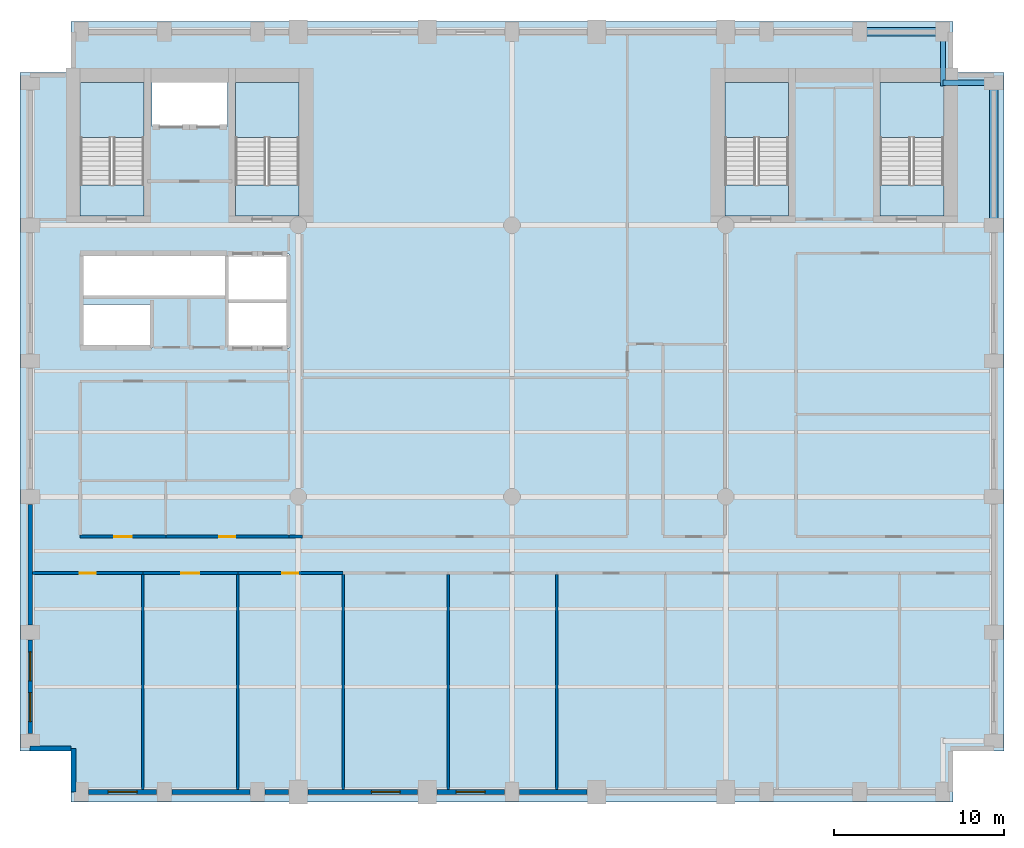
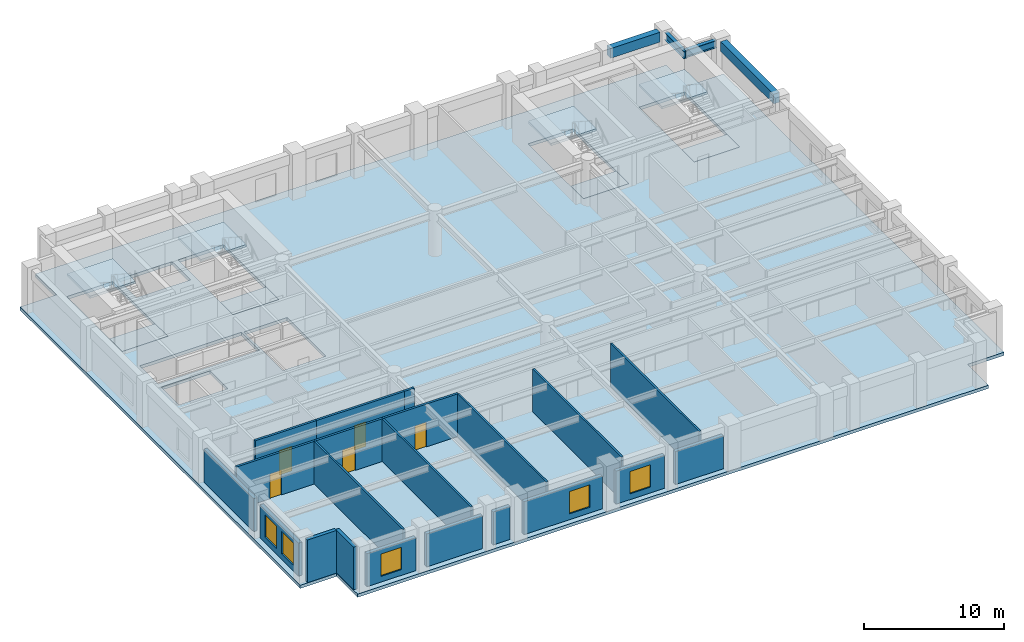
# One storey, part 2 of 8: 21 walls, 9 slabs, 5 doors, 5 windows, 4 beams, 10 openings, 4 elements without a shape of their own.
"""IFC4 building model written with IfcOpenShell, lengths in metres."""

import ifcopenshell
import ifcopenshell.guid

model = None  # the IFC model being written
_history = None  # IfcOwnerHistory: only IFC2X3 demands one
_inside = {}  # id of a spatial element -> (the spatial element, [elements in it])
_under = {}  # id of a project, library or spatial element -> (it, [spatial elements below it])
_declared = {}  # id of a project -> (the project, [libraries it declares])
_typed = {}  # id of a type object -> (the type object, [elements of that type])
_made_of = {}  # id of a material, layer set ... -> (it, [elements and type objects made of it])


def new_model(schema):
    """Start an empty IFC model of exactly this schema.

    Asked for "IFC4X3", IfcOpenShell would pick the latest addendum, in which some entities
    have other attributes; the version numbers below select the first issue.
    IFC2X3 requires an IfcOwnerHistory on every rooted entity: one is made here for all.
    """
    global model, _history
    if schema == "IFC4X3":
        model = ifcopenshell.file(schema_version=(4, 3, 0, 0))
    else:
        model = ifcopenshell.file(schema=schema)
    _inside.clear()
    _under.clear()
    _declared.clear()
    _typed.clear()
    _made_of.clear()
    _history = None
    if model.schema == "IFC2X3":
        org = make("IfcOrganization", Name="unknown")
        user = make(
            "IfcPersonAndOrganization",
            ThePerson=make("IfcPerson", FamilyName="unknown"),
            TheOrganization=org,
        )
        app = make(
            "IfcApplication",
            ApplicationDeveloper=org,
            Version="unknown",
            ApplicationFullName="unknown",
            ApplicationIdentifier="unknown",
        )
        _history = make(
            "IfcOwnerHistory",
            OwningUser=user,
            OwningApplication=app,
            ChangeAction="ADDED",
            CreationDate=0,
        )
    return model


def make(cls, **values):
    """One entity of the class cls with the attributes given. An attribute that is None is left unset."""
    return model.create_entity(
        cls, **{name: value for name, value in values.items() if value is not None}
    )


def rooted(cls, **values):
    """An entity with a GlobalId (a new one), such as an element, a storey or a relation."""
    return make(cls, GlobalId=ifcopenshell.guid.new(), OwnerHistory=_history, **values)


def si_unit(unit_type, name, prefix=None):
    """IfcSIUnit, for example si_unit("LENGTHUNIT", "METRE", prefix="MILLI")."""
    return make("IfcSIUnit", UnitType=unit_type, Prefix=prefix, Name=name)


def assignment(units):
    """IfcUnitAssignment: the units of a project."""
    return None if units is None else make("IfcUnitAssignment", Units=units)


def point(xyz):
    """IfcCartesianPoint."""
    return None if xyz is None else make("IfcCartesianPoint", Coordinates=xyz)


def direction(xyz):
    """IfcDirection."""
    return None if xyz is None else make("IfcDirection", DirectionRatios=xyz)


def frame(location, z_axis=None, x_axis=None):
    """IfcAxis2Placement3D, a coordinate frame: its origin and axes. An axis left out is left unset."""
    return make(
        "IfcAxis2Placement3D",
        Location=point(location),
        Axis=direction(z_axis),
        RefDirection=direction(x_axis),
    )


def frame_2d(location, x_axis=None):
    """IfcAxis2Placement2D, a coordinate frame in the plane: its origin and x axis."""
    return make(
        "IfcAxis2Placement2D", Location=point(location), RefDirection=direction(x_axis)
    )


def origin():
    """The frame at (0, 0, 0) with its axes left unset."""
    return frame((0.0, 0.0, 0.0))


def origin_2d():
    """The frame at (0, 0) in the plane with its x axis left unset."""
    return frame_2d((0.0, 0.0))


def place(relative_to, where):
    """IfcLocalPlacement: puts the frame where relative to a parent placement (None: the world)."""
    return make(
        "IfcLocalPlacement", PlacementRelTo=relative_to, RelativePlacement=where
    )


def context(
    kind, dimensions, precision=None, world=None, true_north=None, identifier=None
):
    """IfcGeometricRepresentationContext, for example the 3D "Model" context."""
    return make(
        "IfcGeometricRepresentationContext",
        ContextIdentifier=identifier,
        ContextType=kind,
        CoordinateSpaceDimension=dimensions,
        Precision=precision,
        WorldCoordinateSystem=world,
        TrueNorth=true_north,
    )


def subcontext(parent, identifier, kind, view, scale=None):
    """IfcGeometricRepresentationSubContext, for example "Body" below "Model"."""
    return make(
        "IfcGeometricRepresentationSubContext",
        ContextIdentifier=identifier,
        ContextType=kind,
        ParentContext=parent,
        TargetScale=scale,
        TargetView=view,
    )


def project(units=None, contexts=None):
    """IfcProject with its units and contexts."""
    return rooted(
        "IfcProject",
        Name="project",
        RepresentationContexts=contexts,
        UnitsInContext=assignment(units),
    )


def spatial(cls, under=None, at=None, **own):
    """A site, building, storey or space (cls), placed at a placement, below another one or the project."""
    s = rooted(cls, ObjectPlacement=at, **own)
    if under is not None:
        _under.setdefault(under.id(), (under, []))[1].append(s)
    return s


def polyline(points):
    """IfcPolyline through the points."""
    return make("IfcPolyline", Points=[point(p) for p in points])


def profile(cls, at=None, kind="AREA", **sizes):
    """A parametric profile (cls). Its sizes go by their IFC names, for example OverallWidth=200.0."""
    return make(cls, ProfileType=kind, Position=at, **sizes)


def rectangle(**sizes):
    """IfcRectangleProfileDef."""
    return profile("IfcRectangleProfileDef", **sizes)


def i_section(**sizes):
    """IfcIShapeProfileDef."""
    return profile("IfcIShapeProfileDef", **sizes)


def outline(outer, holes=None, kind="AREA"):
    """IfcArbitraryClosedProfileDef: a profile drawn as a closed curve; with holes, ...WithVoids."""
    if holes is None:
        return make("IfcArbitraryClosedProfileDef", ProfileType=kind, OuterCurve=outer)
    return make(
        "IfcArbitraryProfileDefWithVoids",
        ProfileType=kind,
        OuterCurve=outer,
        InnerCurves=holes,
    )


def extrude(swept, where, along, depth):
    """IfcExtrudedAreaSolid: the profile swept, set in the frame where, extruded along a direction by depth."""
    return make(
        "IfcExtrudedAreaSolid",
        SweptArea=swept,
        Position=where,
        ExtrudedDirection=direction(along),
        Depth=depth,
    )


def shape(context_of_items, identifier, shape_type, items):
    """IfcShapeRepresentation: the items that make up one representation, for example the "Body"."""
    return make(
        "IfcShapeRepresentation",
        ContextOfItems=context_of_items,
        RepresentationIdentifier=identifier,
        RepresentationType=shape_type,
        Items=items,
    )


def material(Name=None, Category=None):
    """IfcMaterial."""
    return make("IfcMaterial", Name=Name, Category=Category)


def layer(
    of_material, thickness, ventilated=None, Name=None, Category=None, Priority=None
):
    """IfcMaterialLayer: one layer of a wall or slab, of a material (None: an air gap)."""
    return make(
        "IfcMaterialLayer",
        Material=of_material,
        LayerThickness=thickness,
        IsVentilated=ventilated,
        Name=Name,
        Category=Category,
        Priority=Priority,
    )


def layer_set(layers, Name=None):
    """IfcMaterialLayerSet."""
    return make("IfcMaterialLayerSet", MaterialLayers=layers, LayerSetName=Name)


def material_profile(
    of_material, cross_section, Name=None, Category=None, Priority=None
):
    """IfcMaterialProfile: a cross section and its material."""
    return make(
        "IfcMaterialProfile",
        Name=Name,
        Material=of_material,
        Profile=cross_section,
        Priority=Priority,
        Category=Category,
    )


def profile_set(profiles, Name=None, composite=None):
    """IfcMaterialProfileSet."""
    return make(
        "IfcMaterialProfileSet",
        Name=Name,
        MaterialProfiles=profiles,
        CompositeProfile=composite,
    )


def made_of(thing, what):
    """Note that an element or type object is made of a material, layer set ...; save() writes the relation."""
    if what is not None:
        _made_of.setdefault(what.id(), (what, []))[1].append(thing)
    return thing


def type_object(cls, material=None, **own):
    """A type object (cls), such as IfcWallType, which elements share."""
    return made_of(rooted(cls, **own), material)


def element(
    cls,
    number,
    at=None,
    inside=None,
    cuts=None,
    type_object=None,
    material=None,
    context=None,
    identifier="Body",
    shape_type=None,
    held_by="IfcProductDefinitionShape",
    body=None,
    shapes=None,
    **own,
):
    """One element of the class cls, such as IfcWall. Its Tag is "e" and its number.

    at: its placement. inside: the storey or other place that contains it. cuts: it is an
    opening in that element (IfcRelVoidsElement). A single representation is given by context,
    identifier, shape_type and body (its items); several are given by shapes. held_by: the class
    of the entity that holds the representations. save() writes the other relations.
    """
    e = rooted(cls, Tag="e%d" % number, ObjectPlacement=at, **own)
    if body is not None:
        shapes = [shape(context, identifier, shape_type, body)]
    if shapes is not None:
        e.Representation = make(held_by, Representations=shapes)
    if inside is not None:
        _inside.setdefault(inside.id(), (inside, []))[1].append(e)
    if cuts is not None:
        rooted(
            "IfcRelVoidsElement", RelatingBuildingElement=cuts, RelatedOpeningElement=e
        )
    if type_object is not None:
        _typed.setdefault(type_object.id(), (type_object, []))[1].append(e)
    return made_of(e, material)


def fill(opening, filler):
    """IfcRelFillsElement: the door or window that sits in an opening."""
    return rooted(
        "IfcRelFillsElement",
        RelatingOpeningElement=opening,
        RelatedBuildingElement=filler,
    )


def aggregate(whole, parts):
    """IfcRelAggregates: a whole, such as a stair, and the parts it consists of."""
    return rooted("IfcRelAggregates", RelatingObject=whole, RelatedObjects=parts)


def save(model, path):
    """Write the relations noted so far, then the file.

    IfcRelAggregates (storeys below a building ...), IfcRelContainedInSpatialStructure (elements
    in a storey), IfcRelDefinesByType, IfcRelAssociatesMaterial and IfcRelDeclares: one each for
    every whole, place, type object, material and project.
    """
    for whole, parts in _under.values():
        aggregate(whole, parts)
    for where, things in _inside.values():
        rooted(
            "IfcRelContainedInSpatialStructure",
            RelatedElements=things,
            RelatingStructure=where,
        )
    for kind, things in _typed.values():
        rooted("IfcRelDefinesByType", RelatedObjects=things, RelatingType=kind)
    for what, things in _made_of.values():
        rooted("IfcRelAssociatesMaterial", RelatedObjects=things, RelatingMaterial=what)
    for by, libraries in _declared.values():
        rooted("IfcRelDeclares", RelatingContext=by, RelatedDefinitions=libraries)
    model.write(path)


model = new_model("IFC4")

# Units and contexts
model_context = context("Model", 3, precision=1e-05, world=origin(), true_north=direction((0.0, 1.0)))
body_context = subcontext(model_context, "Body", "Model", "MODEL_VIEW")
ifc_project = project(units=[si_unit("LENGTHUNIT", "METRE"), si_unit("AREAUNIT", "SQUARE_METRE"), si_unit("VOLUMEUNIT", "CUBIC_METRE"), si_unit("PLANEANGLEUNIT", "RADIAN"), si_unit("MASSUNIT", "GRAM", prefix="KILO")], contexts=[model_context])

# Site, building, storey
site_placement = place(None, origin())
site = spatial("IfcSite", under=ifc_project, at=site_placement, CompositionType="ELEMENT")
building_placement = place(site_placement, origin())
building = spatial("IfcBuilding", under=site, at=building_placement, Name="Sulina Concourse Tower", CompositionType="ELEMENT")
storey_placement = place(building_placement, frame((0.0, 0.0, 144.60009765625)))
storey = spatial("IfcBuildingStorey", under=building, at=storey_placement, Name="L35", CompositionType="ELEMENT", Elevation=144.60009765625)

# Beams
ifc_material_1 = material(Name="Steel S355", Category="steel")
ifc_material_profile_1 = material_profile(ifc_material_1, i_section(OverallWidth=0.300048828125, OverallDepth=0.64990234375, WebThickness=0.01611328125, FlangeThickness=0.031005859375, at=origin_2d()), Name="HE 650 B")
ifc_profile_set_1 = profile_set([ifc_material_profile_1], Name="Steel S355")
beam_type_1 = type_object("IfcBeamType", Name="Floor Primary Girder Zone 2 HE650B", PredefinedType="BEAM", material=ifc_profile_set_1)
beam_1_placement = place(storey_placement, frame((54.39990234375, 42.39990234375, 3.39990234375), z_axis=(1.0, 0.0, 0.0), x_axis=(0.0, 1.0, 0.0)))
element("IfcBeam", 1, at=beam_1_placement, inside=storey, type_object=beam_type_1, Name="TIE-NE-L35", PredefinedType="BEAM", context=body_context, shape_type="SweptSolid", body=[
    extrude(i_section(OverallWidth=0.300048828125, OverallDepth=0.64990234375, WebThickness=0.01611328125, FlangeThickness=0.031005859375, at=origin_2d()), origin(), (0.0, 0.0, 1.0), 2.59521484375),
])
beam_2_placement = place(storey_placement, frame((54.39990234375, 42.199951171875, 3.39990234375), z_axis=(0.0, 1.0, 0.0), x_axis=(-1.0, 0.0, 0.0)))
element("IfcBeam", 2, at=beam_2_placement, inside=storey, type_object=beam_type_1, Name="TIE-NEN-L35", PredefinedType="BEAM", context=body_context, shape_type="SweptSolid", body=[
    extrude(i_section(OverallWidth=0.300048828125, OverallDepth=0.64990234375, WebThickness=0.01611328125, FlangeThickness=0.031005859375, at=origin_2d()), origin(), (0.0, 0.0, 1.0), 2.795166015625),
])
ifc_material_2 = material(Name="Precast concrete C50/60", Category="concrete")
ifc_material_profile_2 = material_profile(ifc_material_2, rectangle(XDim=0.5, YDim=0.85009765625, at=origin_2d()), Name="RC 500x850")
ifc_profile_set_2 = profile_set([ifc_material_profile_2], Name="Precast concrete C50/60")
beam_type_2 = type_object("IfcBeamType", Name="Lower Precast Spandrel Edge Beam 500x850", PredefinedType="BEAM", material=ifc_profile_set_2)
beam_3_placement = place(storey_placement, frame((49.905029296875, 45.39990234375, 3.2998046875), z_axis=(1.0, 0.0, 0.0), x_axis=(0.0, 1.0, 0.0)))
element("IfcBeam", 3, at=beam_3_placement, inside=storey, type_object=beam_type_2, Name="SP-N10-L35", PredefinedType="BEAM", context=body_context, shape_type="SweptSolid", body=[
    extrude(rectangle(XDim=0.5, YDim=0.85009765625, at=origin_2d()), origin(), (0.0, 0.0, 1.0), 4.090087890625),
])
beam_4_placement = place(storey_placement, frame((57.39990234375, 34.405029296875, 3.2998046875), z_axis=(0.0, 1.0, 0.0), x_axis=(-1.0, 0.0, 0.0)))
element("IfcBeam", 4, at=beam_4_placement, inside=storey, type_object=beam_type_2, Name="SP-E5-L35", PredefinedType="BEAM", context=body_context, shape_type="SweptSolid", body=[
    extrude(rectangle(XDim=0.5, YDim=0.85009765625, at=origin_2d()), origin(), (0.0, 0.0, 1.0), 7.590087890625),
])

# Slabs
ifc_material_3 = material(Name="Concrete C50/60", Category="concrete")
ifc_layer_1 = layer(ifc_material_3, 0.27490234375)
ifc_layer_set_1 = layer_set([ifc_layer_1], Name="Concrete C50/60")
slab_type_1 = type_object("IfcSlabType", Name="Mid-Rise Composite Floor Slab 275mm", PredefinedType="FLOOR", material=ifc_layer_set_1)
slab_1_placement = place(storey_placement, frame((0.0, 0.0, -0.275146484375)))
element("IfcSlab", 5, at=slab_1_placement, inside=storey, type_object=slab_type_1, Name="L35 structural floor slab", PredefinedType="FLOOR", context=body_context, shape_type="SweptSolid", body=[
    extrude(outline(polyline([(3.0, 0.0), (55.0, 0.0), (55.0, 3.0), (58.0, 3.0), (58.0, 43.0), (55.0, 43.0), (55.0, 46.0), (3.0, 46.0), (3.0, 43.0), (0.0, 43.0), (0.0, 3.0), (3.0, 3.0), (3.0, 0.0)]), holes=[polyline([(7.31005859375, 34.550048828125), (7.31005859375, 42.429931640625), (3.550048828125, 42.429931640625), (3.550048828125, 34.550048828125), (7.31005859375, 34.550048828125)]), polyline([(16.449951171875, 34.550048828125), (16.449951171875, 42.429931640625), (12.68994140625, 42.429931640625), (12.68994140625, 34.550048828125), (16.449951171875, 34.550048828125)]), polyline([(45.31005859375, 34.550048828125), (45.31005859375, 42.429931640625), (41.550048828125, 42.429931640625), (41.550048828125, 34.550048828125), (45.31005859375, 34.550048828125)]), polyline([(54.449951171875, 34.550048828125), (54.449951171875, 42.429931640625), (50.68994140625, 42.429931640625), (50.68994140625, 34.550048828125), (54.449951171875, 34.550048828125)]), polyline([(7.780029296875, 39.830078125), (12.219970703125, 39.830078125), (12.219970703125, 42.449951171875), (7.780029296875, 42.449951171875), (7.780029296875, 39.830078125)]), polyline([(3.739990234375, 26.780029296875), (7.77001953125, 26.780029296875), (7.77001953125, 29.320068359375), (3.739990234375, 29.320068359375), (3.739990234375, 26.780029296875)]), polyline([(3.739990234375, 29.780029296875), (12.10009765625, 29.780029296875), (12.10009765625, 32.3701171875), (3.739990234375, 32.3701171875), (3.739990234375, 29.780029296875)]), polyline([(12.280029296875, 26.780029296875), (15.85009765625, 26.780029296875), (15.85009765625, 32.320068359375), (12.280029296875, 32.320068359375), (12.280029296875, 26.780029296875)])]), origin(), (0.0, 0.0, 1.0), 0.275146484375),
])
ifc_material_4 = material(Name="Concrete C50/60", Category="concrete")
ifc_layer_2 = layer(ifc_material_4, 0.199951171875)
ifc_layer_set_2 = layer_set([ifc_layer_2], Name="Concrete C50/60")
slab_type_2 = type_object("IfcSlabType", Name="Primary Core Stair Landing Slab 200mm", PredefinedType="LANDING", material=ifc_layer_set_2)
slab_2_placement = place(storey_placement, frame((0.0, 0.0, -0.2001953125)))
element("IfcSlab", 6, at=slab_2_placement, inside=storey, type_object=slab_type_2, Name="L35 ST-1 floor landing slab", PredefinedType="LANDING", context=body_context, shape_type="SweptSolid", body=[
    extrude(outline(polyline([(7.31005859375, 34.550048828125), (7.31005859375, 36.375), (3.550048828125, 36.375), (3.550048828125, 34.550048828125), (7.31005859375, 34.550048828125)])), origin(), (0.0, 0.0, 1.0), 0.2001953125),
])
slab_3_placement = place(storey_placement, frame((0.0, 0.0, -0.2001953125)))
element("IfcSlab", 7, at=slab_3_placement, inside=storey, type_object=slab_type_2, Name="L35 ST-2 floor landing slab", PredefinedType="LANDING", context=body_context, shape_type="SweptSolid", body=[
    extrude(outline(polyline([(16.449951171875, 34.550048828125), (16.449951171875, 36.375), (12.68994140625, 36.375), (12.68994140625, 34.550048828125), (16.449951171875, 34.550048828125)])), origin(), (0.0, 0.0, 1.0), 0.2001953125),
])
slab_4_placement = place(storey_placement, frame((0.0, 0.0, -0.2001953125)))
element("IfcSlab", 8, at=slab_4_placement, inside=storey, type_object=slab_type_2, Name="L35 ST-3 floor landing slab", PredefinedType="LANDING", context=body_context, shape_type="SweptSolid", body=[
    extrude(outline(polyline([(45.31005859375, 34.550048828125), (45.31005859375, 36.375), (41.550048828125, 36.375), (41.550048828125, 34.550048828125), (45.31005859375, 34.550048828125)])), origin(), (0.0, 0.0, 1.0), 0.2001953125),
])
slab_5_placement = place(storey_placement, frame((0.0, 0.0, -0.2001953125)))
element("IfcSlab", 9, at=slab_5_placement, inside=storey, type_object=slab_type_2, Name="L35 ST-4 floor landing slab", PredefinedType="LANDING", context=body_context, shape_type="SweptSolid", body=[
    extrude(outline(polyline([(54.449951171875, 34.550048828125), (54.449951171875, 36.375), (50.68994140625, 36.375), (50.68994140625, 34.550048828125), (54.449951171875, 34.550048828125)])), origin(), (0.0, 0.0, 1.0), 0.2001953125),
])

# Stair, slab
ifc_material_5 = material(Name="Concrete C50/60", Category="concrete")
stair_type_1 = type_object("IfcStairType", Name="Primary Core Dog-Leg Exit Stair 1800mm", PredefinedType="HALF_TURN_STAIR", material=ifc_material_5)
stair_1_placement = place(storey_placement, origin())
stair_1 = element("IfcStair", 10, at=stair_1_placement, inside=storey, type_object=stair_type_1, Name="L35 ST-1", PredefinedType="HALF_TURN_STAIR")
slab_6_placement = place(storey_placement, frame((0.0, 0.0, 1.7998046875)))
slab_6 = element("IfcSlab", 11, at=slab_6_placement, type_object=slab_type_2, Name="ST-1 landing 1", PredefinedType="LANDING", context=body_context, shape_type="SweptSolid", body=[
    extrude(outline(polyline([(7.304931640625, 39.175048828125), (7.304931640625, 42.425048828125), (3.554931640625, 42.425048828125), (3.554931640625, 39.175048828125), (7.304931640625, 39.175048828125)])), origin(), (0.0, 0.0, 1.0), 0.2001953125),
])
aggregate(stair_1, [slab_6])

stair_2_placement = place(storey_placement, origin())
stair_2 = element("IfcStair", 12, at=stair_2_placement, inside=storey, type_object=stair_type_1, Name="L35 ST-2", PredefinedType="HALF_TURN_STAIR")
slab_7_placement = place(storey_placement, frame((0.0, 0.0, 1.7998046875)))
slab_7 = element("IfcSlab", 13, at=slab_7_placement, type_object=slab_type_2, Name="ST-2 landing 1", PredefinedType="LANDING", context=body_context, shape_type="SweptSolid", body=[
    extrude(outline(polyline([(16.445068359375, 39.175048828125), (16.445068359375, 42.425048828125), (12.695068359375, 42.425048828125), (12.695068359375, 39.175048828125), (16.445068359375, 39.175048828125)])), origin(), (0.0, 0.0, 1.0), 0.2001953125),
])
aggregate(stair_2, [slab_7])

ifc_material_6 = material(Name="Concrete C50/60", Category="concrete")
stair_type_2 = type_object("IfcStairType", Name="Portal & Podium Core Exit Stair 1820mm", PredefinedType="HALF_TURN_STAIR", material=ifc_material_6)
stair_3_placement = place(storey_placement, origin())
stair_3 = element("IfcStair", 14, at=stair_3_placement, inside=storey, type_object=stair_type_2, Name="L35 ST-3", PredefinedType="HALF_TURN_STAIR")
slab_8_placement = place(storey_placement, frame((0.0, 0.0, 1.7998046875)))
slab_8 = element("IfcSlab", 15, at=slab_8_placement, type_object=slab_type_2, Name="ST-3 landing 1", PredefinedType="LANDING", context=body_context, shape_type="SweptSolid", body=[
    extrude(outline(polyline([(45.304931640625, 39.175048828125), (45.304931640625, 42.425048828125), (41.554931640625, 42.425048828125), (41.554931640625, 39.175048828125), (45.304931640625, 39.175048828125)])), origin(), (0.0, 0.0, 1.0), 0.2001953125),
])
aggregate(stair_3, [slab_8])

stair_4_placement = place(storey_placement, origin())
stair_4 = element("IfcStair", 16, at=stair_4_placement, inside=storey, type_object=stair_type_2, Name="L35 ST-4", PredefinedType="HALF_TURN_STAIR")
slab_9_placement = place(storey_placement, frame((0.0, 0.0, 1.7998046875)))
slab_9 = element("IfcSlab", 17, at=slab_9_placement, type_object=slab_type_2, Name="ST-4 landing 1", PredefinedType="LANDING", context=body_context, shape_type="SweptSolid", body=[
    extrude(outline(polyline([(54.445068359375, 39.175048828125), (54.445068359375, 42.425048828125), (50.695068359375, 42.425048828125), (50.695068359375, 39.175048828125), (54.445068359375, 39.175048828125)])), origin(), (0.0, 0.0, 1.0), 0.2001953125),
])
aggregate(stair_4, [slab_9])

# Walls
ifc_material_7 = material(Name="Gypsum board on steel stud", Category="steel")
ifc_layer_3 = layer(ifc_material_7, 0.14990234375)
ifc_layer_set_3 = layer_set([ifc_layer_3], Name="Gypsum board on steel stud")
wall_type_1 = type_object("IfcWallType", Name="Inter-Tenancy Acoustic Partition 150mm", PredefinedType="PARTITIONING", material=ifc_layer_set_3)
for number, where, z_axis, x_axis, name in (
    (18, (7.239990234375, 0.739990234375, 0.0), (0.0, 0.0, 1.0), (0.0, 1.0, 0.0), "L35 interior partition 034"),
    (19, (12.840087890625, 0.739990234375, 0.0), (0.0, 0.0, 1.0), (0.0, 1.0, 0.0), "L35 interior partition 038"),
    (20, (19.0400390625, 0.739990234375, 0.0), (0.0, 0.0, 1.0), (0.0, 1.0, 0.0), "L35 interior partition 046"),
    (21, (25.239990234375, 0.739990234375, 0.0), (0.0, 0.0, 1.0), (0.0, 1.0, 0.0), "L35 interior partition 047"),
    (22, (31.639892578125, 0.739990234375, 0.0), (0.0, 0.0, 1.0), (0.0, 1.0, 0.0), "L35 interior partition 048"),
):
    element("IfcWall", number, at=place(storey_placement, frame(where, z_axis=z_axis, x_axis=x_axis)), inside=storey, type_object=wall_type_1, Name=name, PredefinedType="PARTITIONING", context=body_context, shape_type="SweptSolid", body=[
        extrude(rectangle(XDim=12.669921875, YDim=0.14990234375, at=frame_2d((6.3349609375, 0.0))), origin(), (0.0, 0.0, 1.0), 3.724853515625),
    ])

# Wall, opening, door
ifc_material_8 = material(Name="Gypsum board on steel stud", Category="steel")
ifc_layer_4 = layer(ifc_material_8, 0.179931640625)
ifc_layer_set_4 = layer_set([ifc_layer_4], Name="Gypsum board on steel stud")
wall_type_2 = type_object("IfcWallType", Name="Protected Corridor & Riser Partition 180mm", PredefinedType="PARTITIONING", material=ifc_layer_set_4)
wall_1_placement = place(storey_placement, frame((0.739990234375, 13.5, 0.0), z_axis=(0.0, 0.0, 1.0), x_axis=(1.0, 0.0, 0.0)))
wall_1 = element("IfcWall", 23, at=wall_1_placement, inside=storey, type_object=wall_type_2, Name="L35 interior partition 001", PredefinedType="PARTITIONING", context=body_context, shape_type="SweptSolid", body=[
    extrude(rectangle(XDim=6.5, YDim=0.179931640625, at=frame_2d((3.25, 0.0))), origin(), (0.0, 0.0, 1.0), 3.724853515625),
])
opening_1_placement = place(wall_1_placement, frame((2.77490234375, 0.0, 0.0)))
opening_1 = element("IfcOpeningElement", 24, at=opening_1_placement, cuts=wall_1, Name="Opening DR-19", PredefinedType="OPENING", context=body_context, shape_type="SweptSolid", body=[
    extrude(rectangle(XDim=0.949951171875, YDim=2.14990234375, at=frame_2d((0.47509765625, 1.074951171875))), frame((0.0, 0.099853515625, 0.0), z_axis=(0.0, -1.0, 0.0), x_axis=(1.0, 0.0, 0.0)), (0.0, 0.0, 1.0), 0.199951171875),
])
ifc_material_9 = material(Name="Oak-veneered acoustic timber leaf", Category="wood")
ifc_layer_5 = layer(ifc_material_9, 0.050048828125)
ifc_layer_set_5 = layer_set([ifc_layer_5], Name="Oak-veneered acoustic timber leaf")
door_type_1 = type_object("IfcDoorType", Name="Cellular Office & Meeting Door 950x2150", OperationType="NOTDEFINED", PredefinedType="DOOR", material=ifc_layer_set_5)
door_1_placement = place(opening_1_placement, origin())
door_1 = element("IfcDoor", 25, at=door_1_placement, inside=storey, type_object=door_type_1, Name="L35 interior door L35-S01", OperationType="SINGLE_SWING_RIGHT", OverallHeight=2.14990234375, OverallWidth=0.949951171875, PredefinedType="DOOR", context=body_context, shape_type="SweptSolid", body=[
    extrude(rectangle(XDim=0.949951171875, YDim=2.14990234375, at=frame_2d((0.47509765625, 1.074951171875))), frame((0.0, 0.02490234375, 0.0), z_axis=(0.0, -1.0, 0.0), x_axis=(1.0, 0.0, 0.0)), (0.0, 0.0, 1.0), 0.050048828125),
])
fill(opening_1, door_1)

wall_2_placement = place(storey_placement, frame((7.239990234375, 13.5, 0.0), z_axis=(0.0, 0.0, 1.0), x_axis=(1.0, 0.0, 0.0)))
wall_2 = element("IfcWall", 26, at=wall_2_placement, inside=storey, type_object=wall_type_2, Name="L35 interior partition 002", PredefinedType="PARTITIONING", context=body_context, shape_type="SweptSolid", body=[
    extrude(rectangle(XDim=5.60009765625, YDim=0.179931640625, at=frame_2d((2.800048828125, 0.0))), origin(), (0.0, 0.0, 1.0), 3.724853515625),
])
opening_2_placement = place(wall_2_placement, frame((2.27490234375, 0.0, 0.0)))
opening_2 = element("IfcOpeningElement", 27, at=opening_2_placement, cuts=wall_2, Name="Opening DR-37", PredefinedType="OPENING", context=body_context, shape_type="SweptSolid", body=[
    extrude(rectangle(XDim=1.050048828125, YDim=2.14990234375, at=frame_2d((0.52490234375, 1.074951171875))), frame((0.0, 0.099853515625, 0.0), z_axis=(0.0, -1.0, 0.0), x_axis=(1.0, 0.0, 0.0)), (0.0, 0.0, 1.0), 0.199951171875),
])
ifc_material_10 = material(Name="Oak-veneered fire door leaf")
ifc_layer_6 = layer(ifc_material_10, 0.050048828125)
ifc_layer_set_6 = layer_set([ifc_layer_6], Name="Oak-veneered fire door leaf")
door_type_2 = type_object("IfcDoorType", Name="Tenant Suite Entrance Fire Door 1050x2150", OperationType="NOTDEFINED", PredefinedType="DOOR", material=ifc_layer_set_6)
door_2_placement = place(opening_2_placement, origin())
door_2 = element("IfcDoor", 28, at=door_2_placement, inside=storey, type_object=door_type_2, Name="L35 interior door L35-S02", OperationType="SINGLE_SWING_LEFT", OverallHeight=2.14990234375, OverallWidth=1.050048828125, PredefinedType="DOOR", context=body_context, shape_type="SweptSolid", body=[
    extrude(rectangle(XDim=1.050048828125, YDim=2.14990234375, at=frame_2d((0.52490234375, 1.074951171875))), frame((0.0, 0.02490234375, 0.0), z_axis=(0.0, -1.0, 0.0), x_axis=(1.0, 0.0, 0.0)), (0.0, 0.0, 1.0), 0.050048828125),
])
fill(opening_2, door_2)

wall_3_placement = place(storey_placement, frame((12.840087890625, 13.5, 0.0), z_axis=(0.0, 0.0, 1.0), x_axis=(1.0, 0.0, 0.0)))
wall_3 = element("IfcWall", 29, at=wall_3_placement, inside=storey, type_object=wall_type_2, Name="L35 interior partition 003", PredefinedType="PARTITIONING", context=body_context, shape_type="SweptSolid", body=[
    extrude(rectangle(XDim=6.199951171875, YDim=0.179931640625, at=frame_2d((3.10009765625, 0.0))), origin(), (0.0, 0.0, 1.0), 3.724853515625),
])
opening_3_placement = place(wall_3_placement, frame((2.625, 0.0, 0.0)))
opening_3 = element("IfcOpeningElement", 30, at=opening_3_placement, cuts=wall_3, Name="Opening DR-19", PredefinedType="OPENING", context=body_context, shape_type="SweptSolid", body=[
    extrude(rectangle(XDim=0.949951171875, YDim=2.14990234375, at=frame_2d((0.47509765625, 1.074951171875))), frame((0.0, 0.099853515625, 0.0), z_axis=(0.0, -1.0, 0.0), x_axis=(1.0, 0.0, 0.0)), (0.0, 0.0, 1.0), 0.199951171875),
])
door_3_placement = place(opening_3_placement, origin())
door_3 = element("IfcDoor", 31, at=door_3_placement, inside=storey, type_object=door_type_1, Name="L35 interior door L35-S03", OperationType="SINGLE_SWING_RIGHT", OverallHeight=2.14990234375, OverallWidth=0.949951171875, PredefinedType="DOOR", context=body_context, shape_type="SweptSolid", body=[
    extrude(rectangle(XDim=0.949951171875, YDim=2.14990234375, at=frame_2d((0.47509765625, 1.074951171875))), frame((0.0, 0.02490234375, 0.0), z_axis=(0.0, -1.0, 0.0), x_axis=(1.0, 0.0, 0.0)), (0.0, 0.0, 1.0), 0.050048828125),
])
fill(opening_3, door_3)

wall_4_placement = place(storey_placement, frame((3.550048828125, 15.64990234375, 0.0), z_axis=(0.0, 0.0, 1.0), x_axis=(1.0, 0.0, 0.0)))
wall_4 = element("IfcWall", 32, at=wall_4_placement, inside=storey, type_object=wall_type_2, Name="L35 interior partition 010", PredefinedType="PARTITIONING", context=body_context, shape_type="SweptSolid", body=[
    extrude(rectangle(XDim=5.050048828125, YDim=0.179931640625, at=frame_2d((2.52490234375, 0.0))), origin(), (0.0, 0.0, 1.0), 3.724853515625),
])
opening_4_placement = place(wall_4_placement, frame((2.0, 0.0, 0.0)))
opening_4 = element("IfcOpeningElement", 33, at=opening_4_placement, cuts=wall_4, Name="Opening DR-37", PredefinedType="OPENING", context=body_context, shape_type="SweptSolid", body=[
    extrude(rectangle(XDim=1.050048828125, YDim=2.14990234375, at=frame_2d((0.52490234375, 1.074951171875))), frame((0.0, 0.099853515625, 0.0), z_axis=(0.0, -1.0, 0.0), x_axis=(1.0, 0.0, 0.0)), (0.0, 0.0, 1.0), 0.199951171875),
])
door_4_placement = place(opening_4_placement, origin())
door_4 = element("IfcDoor", 34, at=door_4_placement, inside=storey, type_object=door_type_2, Name="L35 interior door L35-WSB-1", OperationType="SINGLE_SWING_LEFT", OverallHeight=2.14990234375, OverallWidth=1.050048828125, PredefinedType="DOOR", context=body_context, shape_type="SweptSolid", body=[
    extrude(rectangle(XDim=1.050048828125, YDim=2.14990234375, at=frame_2d((0.52490234375, 1.074951171875))), frame((0.0, 0.02490234375, 0.0), z_axis=(0.0, -1.0, 0.0), x_axis=(1.0, 0.0, 0.0)), (0.0, 0.0, 1.0), 0.050048828125),
])
fill(opening_4, door_4)

wall_5_placement = place(storey_placement, frame((8.60009765625, 15.64990234375, 0.0), z_axis=(0.0, 0.0, 1.0), x_axis=(1.0, 0.0, 0.0)))
wall_5 = element("IfcWall", 35, at=wall_5_placement, inside=storey, type_object=wall_type_2, Name="L35 interior partition 011", PredefinedType="PARTITIONING", context=body_context, shape_type="SweptSolid", body=[
    extrude(rectangle(XDim=7.25, YDim=0.179931640625, at=frame_2d((3.625, 0.0))), origin(), (0.0, 0.0, 1.0), 3.724853515625),
])
opening_5_placement = place(wall_5_placement, frame((3.14990234375, 0.0, 0.0)))
opening_5 = element("IfcOpeningElement", 36, at=opening_5_placement, cuts=wall_5, Name="Opening DR-19", PredefinedType="OPENING", context=body_context, shape_type="SweptSolid", body=[
    extrude(rectangle(XDim=0.949951171875, YDim=2.14990234375, at=frame_2d((0.47509765625, 1.074951171875))), frame((0.0, 0.099853515625, 0.0), z_axis=(0.0, -1.0, 0.0), x_axis=(1.0, 0.0, 0.0)), (0.0, 0.0, 1.0), 0.199951171875),
])
door_5_placement = place(opening_5_placement, origin())
door_5 = element("IfcDoor", 37, at=door_5_placement, inside=storey, type_object=door_type_1, Name="L35 interior door L35-WSB-2", OperationType="SINGLE_SWING_RIGHT", OverallHeight=2.14990234375, OverallWidth=0.949951171875, PredefinedType="DOOR", context=body_context, shape_type="SweptSolid", body=[
    extrude(rectangle(XDim=0.949951171875, YDim=2.14990234375, at=frame_2d((0.47509765625, 1.074951171875))), frame((0.0, 0.02490234375, 0.0), z_axis=(0.0, -1.0, 0.0), x_axis=(1.0, 0.0, 0.0)), (0.0, 0.0, 1.0), 0.050048828125),
])
fill(opening_5, door_5)

# Wall
wall_6_placement = place(storey_placement, frame((15.85009765625, 15.64990234375, 0.0), z_axis=(0.0, 0.0, 1.0), x_axis=(1.0, 0.0, 0.0)))
element("IfcWall", 38, at=wall_6_placement, inside=storey, type_object=wall_type_2, Name="L35 interior partition 012", PredefinedType="PARTITIONING", context=body_context, shape_type="SweptSolid", body=[
    extrude(rectangle(XDim=0.7998046875, YDim=0.179931640625, at=frame_2d((0.39990234375, 0.0))), origin(), (0.0, 0.0, 1.0), 3.724853515625),
])

# Wall, opening, window
ifc_material_11 = material(Name="Precast concrete C50/60", Category="concrete")
ifc_layer_7 = layer(ifc_material_11, 0.280029296875)
ifc_layer_set_7 = layer_set([ifc_layer_7], Name="Precast concrete C50/60")
wall_type_3 = type_object("IfcWallType", Name="Typical Precast Masonry-Frame Facade Wall 280mm", PredefinedType="SOLIDWALL", material=ifc_layer_set_7)
wall_7_placement = place(storey_placement, frame((8.054931640625, 0.60009765625, 0.0), z_axis=(0.0, 0.0, 1.0), x_axis=(-1.0, 0.0, 0.0)))
wall_7 = element("IfcWall", 39, at=wall_7_placement, inside=storey, type_object=wall_type_3, Name="L35 exterior precast wall S1", PredefinedType="SOLIDWALL", context=body_context, shape_type="SweptSolid", body=[
    extrude(rectangle(XDim=4.010009765625, YDim=0.280029296875, at=frame_2d((2.0048828125, 0.0))), origin(), (0.0, 0.0, 1.0), 2.875),
])
opening_6_placement = place(wall_7_placement, frame((1.155029296875, 0.0, 0.5)))
opening_6 = element("IfcOpeningElement", 40, at=opening_6_placement, cuts=wall_7, Name="Opening WN-66", PredefinedType="OPENING", context=body_context, shape_type="SweptSolid", body=[
    extrude(rectangle(XDim=1.699951171875, YDim=1.949951171875, at=frame_2d((0.85009765625, 0.97509765625))), frame((0.0, 0.14990234375, 0.0), z_axis=(0.0, -1.0, 0.0), x_axis=(1.0, 0.0, 0.0)), (0.0, 0.0, 1.0), 0.300048828125),
])
ifc_material_12 = material(Name="Low-E solar double glazing in bronze aluminium", Category="aluminium")
window_type = type_object("IfcWindowType", Name="Recessed Spandrel Window 1700x1950", PartitioningType="SINGLE_PANEL", PredefinedType="WINDOW", material=ifc_material_12)
window_1_placement = place(opening_6_placement, origin())
window_1 = element("IfcWindow", 41, at=window_1_placement, inside=storey, type_object=window_type, Name="L35 punched window S1-1", OverallHeight=1.949951171875, OverallWidth=1.699951171875, PartitioningType="SINGLE_PANEL", PredefinedType="WINDOW", context=body_context, shape_type="SweptSolid", body=[
    extrude(rectangle(XDim=1.699951171875, YDim=1.949951171875, at=frame_2d((0.85009765625, 0.97509765625))), frame((0.0, 0.030029296875, 0.0), z_axis=(0.0, -1.0, 0.0), x_axis=(1.0, 0.0, 0.0)), (0.0, 0.0, 1.0), 0.06005859375),
])
fill(opening_6, window_1)

# Walls
wall_8_placement = place(storey_placement, frame((13.554931640625, 0.60009765625, 0.0), z_axis=(0.0, 0.0, 1.0), x_axis=(-1.0, 0.0, 0.0)))
element("IfcWall", 42, at=wall_8_placement, inside=storey, type_object=wall_type_3, Name="L35 exterior precast wall S2", PredefinedType="SOLIDWALL", context=body_context, shape_type="SweptSolid", body=[
    extrude(rectangle(XDim=4.60986328125, YDim=0.280029296875, at=frame_2d((2.304931640625, 0.0))), origin(), (0.0, 0.0, 1.0), 2.875),
])
wall_9_placement = place(storey_placement, frame((15.830078125, 0.60009765625, 0.0), z_axis=(0.0, 0.0, 1.0), x_axis=(-1.0, 0.0, 0.0)))
element("IfcWall", 43, at=wall_9_placement, inside=storey, type_object=wall_type_3, Name="L35 exterior precast wall S3", PredefinedType="SOLIDWALL", context=body_context, shape_type="SweptSolid", body=[
    extrude(rectangle(XDim=1.385009765625, YDim=0.280029296875, at=frame_2d((0.6923828125, 0.0))), origin(), (0.0, 0.0, 1.0), 2.875),
])

# Wall, opening, window
wall_10_placement = place(storey_placement, frame((23.429931640625, 0.60009765625, 0.0), z_axis=(0.0, 0.0, 1.0), x_axis=(-1.0, 0.0, 0.0)))
wall_10 = element("IfcWall", 44, at=wall_10_placement, inside=storey, type_object=wall_type_3, Name="L35 exterior precast wall S4", PredefinedType="SOLIDWALL", context=body_context, shape_type="SweptSolid", body=[
    extrude(rectangle(XDim=6.4599609375, YDim=0.280029296875, at=frame_2d((3.22998046875, 0.0))), origin(), (0.0, 0.0, 1.0), 2.875),
])
opening_7_placement = place(wall_10_placement, frame((1.02001953125, 0.0, 0.5)))
opening_7 = element("IfcOpeningElement", 45, at=opening_7_placement, cuts=wall_10, Name="Opening WN-66", PredefinedType="OPENING", context=body_context, shape_type="SweptSolid", body=[
    extrude(rectangle(XDim=1.699951171875, YDim=1.949951171875, at=frame_2d((0.85009765625, 0.97509765625))), frame((0.0, 0.14990234375, 0.0), z_axis=(0.0, -1.0, 0.0), x_axis=(1.0, 0.0, 0.0)), (0.0, 0.0, 1.0), 0.300048828125),
])
window_2_placement = place(opening_7_placement, origin())
window_2 = element("IfcWindow", 46, at=window_2_placement, inside=storey, type_object=window_type, Name="L35 punched window S4-1", OverallHeight=1.949951171875, OverallWidth=1.699951171875, PartitioningType="SINGLE_PANEL", PredefinedType="WINDOW", context=body_context, shape_type="SweptSolid", body=[
    extrude(rectangle(XDim=1.699951171875, YDim=1.949951171875, at=frame_2d((0.85009765625, 0.97509765625))), frame((0.0, 0.030029296875, 0.0), z_axis=(0.0, -1.0, 0.0), x_axis=(1.0, 0.0, 0.0)), (0.0, 0.0, 1.0), 0.06005859375),
])
fill(opening_7, window_2)

wall_11_placement = place(storey_placement, frame((28.554931640625, 0.60009765625, 0.0), z_axis=(0.0, 0.0, 1.0), x_axis=(-1.0, 0.0, 0.0)))
wall_11 = element("IfcWall", 47, at=wall_11_placement, inside=storey, type_object=wall_type_3, Name="L35 exterior precast wall S5", PredefinedType="SOLIDWALL", context=body_context, shape_type="SweptSolid", body=[
    extrude(rectangle(XDim=3.98486328125, YDim=0.280029296875, at=frame_2d((1.992431640625, 0.0))), origin(), (0.0, 0.0, 1.0), 2.875),
])
opening_8_placement = place(wall_11_placement, frame((1.142578125, 0.0, 0.5)))
opening_8 = element("IfcOpeningElement", 48, at=opening_8_placement, cuts=wall_11, Name="Opening WN-66", PredefinedType="OPENING", context=body_context, shape_type="SweptSolid", body=[
    extrude(rectangle(XDim=1.699951171875, YDim=1.949951171875, at=frame_2d((0.85009765625, 0.97509765625))), frame((0.0, 0.14990234375, 0.0), z_axis=(0.0, -1.0, 0.0), x_axis=(1.0, 0.0, 0.0)), (0.0, 0.0, 1.0), 0.300048828125),
])
window_3_placement = place(opening_8_placement, origin())
window_3 = element("IfcWindow", 49, at=window_3_placement, inside=storey, type_object=window_type, Name="L35 punched window S5-1", OverallHeight=1.949951171875, OverallWidth=1.699951171875, PartitioningType="SINGLE_PANEL", PredefinedType="WINDOW", context=body_context, shape_type="SweptSolid", body=[
    extrude(rectangle(XDim=1.699951171875, YDim=1.949951171875, at=frame_2d((0.85009765625, 0.97509765625))), frame((0.0, 0.030029296875, 0.0), z_axis=(0.0, -1.0, 0.0), x_axis=(1.0, 0.0, 0.0)), (0.0, 0.0, 1.0), 0.06005859375),
])
fill(opening_8, window_3)

# Wall
wall_12_placement = place(storey_placement, frame((33.429931640625, 0.60009765625, 0.0), z_axis=(0.0, 0.0, 1.0), x_axis=(-1.0, 0.0, 0.0)))
element("IfcWall", 50, at=wall_12_placement, inside=storey, type_object=wall_type_3, Name="L35 exterior precast wall S6", PredefinedType="SOLIDWALL", context=body_context, shape_type="SweptSolid", body=[
    extrude(rectangle(XDim=3.98486328125, YDim=0.280029296875, at=frame_2d((1.992431640625, 0.0))), origin(), (0.0, 0.0, 1.0), 2.875),
])

# Wall, openings, windows
wall_13_placement = place(storey_placement, frame((0.60009765625, 4.044921875, 0.0), z_axis=(0.0, 0.0, 1.0), x_axis=(0.0, 1.0, 0.0)))
wall_13 = element("IfcWall", 51, at=wall_13_placement, inside=storey, type_object=wall_type_3, Name="L35 exterior precast wall W1", PredefinedType="SOLIDWALL", context=body_context, shape_type="SweptSolid", body=[
    extrude(rectangle(XDim=5.510009765625, YDim=0.280029296875, at=frame_2d((2.7548828125, 0.0))), origin(), (0.0, 0.0, 1.0), 2.875),
])
opening_9_placement = place(wall_13_placement, frame((0.703369140625, 0.0, 0.5)))
opening_9 = element("IfcOpeningElement", 52, at=opening_9_placement, cuts=wall_13, Name="Opening WN-66", PredefinedType="OPENING", context=body_context, shape_type="SweptSolid", body=[
    extrude(rectangle(XDim=1.699951171875, YDim=1.949951171875, at=frame_2d((0.85009765625, 0.97509765625))), frame((0.0, 0.14990234375, 0.0), z_axis=(0.0, -1.0, 0.0), x_axis=(1.0, 0.0, 0.0)), (0.0, 0.0, 1.0), 0.300048828125),
])
opening_10_placement = place(wall_13_placement, frame((3.106689453125, 0.0, 0.5)))
opening_10 = element("IfcOpeningElement", 53, at=opening_10_placement, cuts=wall_13, Name="Opening WN-66", PredefinedType="OPENING", context=body_context, shape_type="SweptSolid", body=[
    extrude(rectangle(XDim=1.699951171875, YDim=1.949951171875, at=frame_2d((0.85009765625, 0.97509765625))), frame((0.0, 0.14990234375, 0.0), z_axis=(0.0, -1.0, 0.0), x_axis=(1.0, 0.0, 0.0)), (0.0, 0.0, 1.0), 0.300048828125),
])
window_4_placement = place(opening_9_placement, origin())
window_4 = element("IfcWindow", 54, at=window_4_placement, inside=storey, type_object=window_type, Name="L35 punched window W1-1", OverallHeight=1.949951171875, OverallWidth=1.699951171875, PartitioningType="SINGLE_PANEL", PredefinedType="WINDOW", context=body_context, shape_type="SweptSolid", body=[
    extrude(rectangle(XDim=1.699951171875, YDim=1.949951171875, at=frame_2d((0.85009765625, 0.97509765625))), frame((0.0, 0.030029296875, 0.0), z_axis=(0.0, -1.0, 0.0), x_axis=(1.0, 0.0, 0.0)), (0.0, 0.0, 1.0), 0.06005859375),
])
fill(opening_9, window_4)
window_5_placement = place(opening_10_placement, origin())
window_5 = element("IfcWindow", 55, at=window_5_placement, inside=storey, type_object=window_type, Name="L35 punched window W1-2", OverallHeight=1.949951171875, OverallWidth=1.699951171875, PartitioningType="SINGLE_PANEL", PredefinedType="WINDOW", context=body_context, shape_type="SweptSolid", body=[
    extrude(rectangle(XDim=1.699951171875, YDim=1.949951171875, at=frame_2d((0.85009765625, 0.97509765625))), frame((0.0, 0.030029296875, 0.0), z_axis=(0.0, -1.0, 0.0), x_axis=(1.0, 0.0, 0.0)), (0.0, 0.0, 1.0), 0.06005859375),
])
fill(opening_10, window_5)

# Walls
wall_14_placement = place(storey_placement, frame((0.60009765625, 10.445068359375, 0.0), z_axis=(0.0, 0.0, 1.0), x_axis=(0.0, 1.0, 0.0)))
element("IfcWall", 56, at=wall_14_placement, inside=storey, type_object=wall_type_3, Name="L35 exterior precast wall W2", PredefinedType="SOLIDWALL", context=body_context, shape_type="SweptSolid", body=[
    extrude(rectangle(XDim=7.10986328125, YDim=0.280029296875, at=frame_2d((3.554931640625, 0.0))), origin(), (0.0, 0.0, 1.0), 2.875),
])
wall_15_placement = place(storey_placement, frame((3.155029296875, 0.60009765625, 0.0), z_axis=(0.0, 0.0, 1.0), x_axis=(0.0, 1.0, 0.0)))
element("IfcWall", 57, at=wall_15_placement, inside=storey, type_object=wall_type_3, Name="L35 exterior precast wall CSW1", PredefinedType="SOLIDWALL", context=body_context, shape_type="SweptSolid", body=[
    extrude(rectangle(XDim=2.554931640625, YDim=0.280029296875, at=frame_2d((1.27734375, 0.0))), origin(), (0.0, 0.0, 1.0), 3.724853515625),
])
wall_16_placement = place(storey_placement, frame((3.010009765625, 3.155029296875, 0.0), z_axis=(0.0, 0.0, 1.0), x_axis=(-1.0, 0.0, 0.0)))
element("IfcWall", 58, at=wall_16_placement, inside=storey, type_object=wall_type_3, Name="L35 exterior precast wall CSW2", PredefinedType="SOLIDWALL", context=body_context, shape_type="SweptSolid", body=[
    extrude(rectangle(XDim=2.409912109375, YDim=0.280029296875, at=frame_2d((1.205078125, 0.0))), origin(), (0.0, 0.0, 1.0), 3.724853515625),
])

save(model, "model.ifc")
